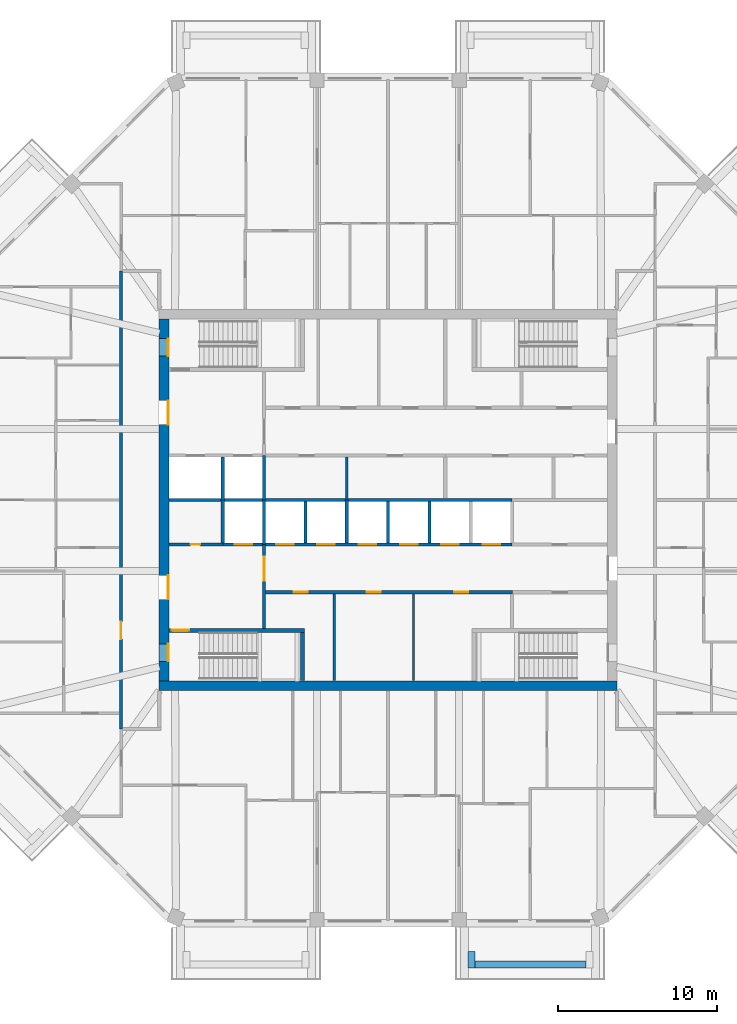
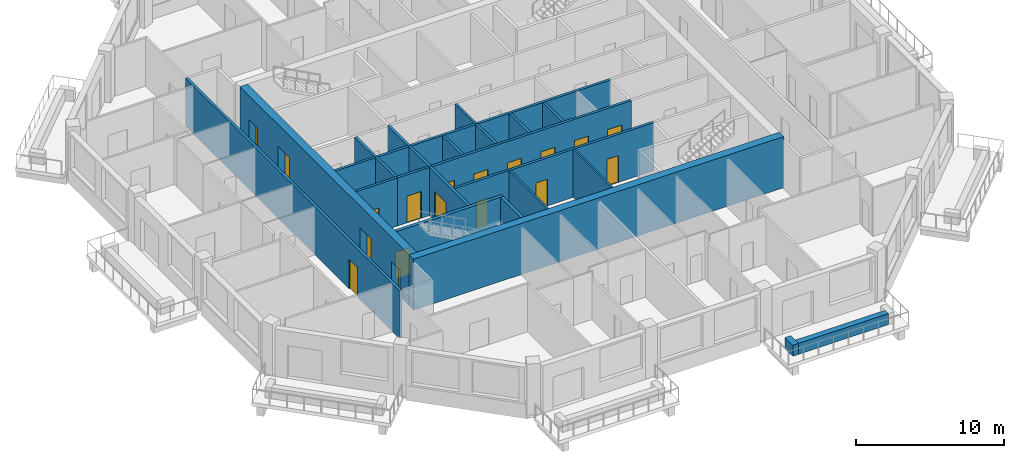
# One storey, part 4 of 12: 23 walls, 18 doors, 18 openings.
"""IFC4 building model written with IfcOpenShell, lengths in metres."""

from ifc_helpers import new_model, si_unit, direction, frame, frame_2d, origin, place, context, subcontext, project, spatial, rectangle, extrude, material, layer, layer_set, type_object, element, fill, save


model = new_model("IFC4")

# Units and contexts
model_context = context("Model", 3, precision=1e-05, world=origin(), true_north=direction((0.0, 1.0)))
body_context = subcontext(model_context, "Body", "Model", "MODEL_VIEW")
ifc_project = project(units=[si_unit("LENGTHUNIT", "METRE"), si_unit("AREAUNIT", "SQUARE_METRE"), si_unit("VOLUMEUNIT", "CUBIC_METRE"), si_unit("PLANEANGLEUNIT", "RADIAN"), si_unit("MASSUNIT", "GRAM", prefix="KILO")], contexts=[model_context])

# Site, building, storey
site_placement = place(None, origin())
site = spatial("IfcSite", under=ifc_project, at=site_placement, CompositionType="ELEMENT")
building_placement = place(site_placement, origin())
building = spatial("IfcBuilding", under=site, at=building_placement, Name="Msitu Wima Residences", CompositionType="ELEMENT")
storey_placement = place(building_placement, frame((0.0, 0.0, 247.5)))
storey = spatial("IfcBuildingStorey", under=building, at=storey_placement, Name="L57", CompositionType="ELEMENT", Elevation=247.5)

# Walls
ifc_material_1 = material(Name="Facing brick")
ifc_layer_1 = layer(ifc_material_1, 0.06494140625, Name="Facing brick")
ifc_material_2 = material(Name="Concrete C40/50", Category="concrete")
ifc_layer_2 = layer(ifc_material_2, 0.156005859375, Name="Concrete C40/50")
ifc_material_3 = material(Name="Waterproofing membrane")
ifc_layer_3 = layer(ifc_material_3, 0.00390625, Name="Waterproofing membrane")
ifc_material_4 = material(Name="Planting soil and planting")
ifc_layer_4 = layer(ifc_material_4, 0.22509765625, Name="Planting soil and planting")
ifc_layer_set_1 = layer_set([ifc_layer_1, ifc_layer_2, ifc_layer_3, ifc_layer_4], Name="Concrete C40/50")
wall_type_1 = type_object("IfcWallType", Name="Balcony planter PLANTER PL450", PredefinedType="USERDEFINED", material=ifc_layer_set_1)
wall_1_placement = place(storey_placement, frame((5.468505859375, -29.22509765625, 0.0), z_axis=(0.0, 0.0, 1.0), x_axis=(1.0, 0.0, 0.0)))
element("IfcWall", 1, at=wall_1_placement, inside=storey, type_object=wall_type_1, Name="Balcony planter S2 L57", ObjectType="PLANTER", PredefinedType="USERDEFINED", context=body_context, shape_type="SweptSolid", body=[
    extrude(rectangle(XDim=6.9873046875, YDim=0.449951171875, at=frame_2d((3.49365234375, 0.0))), origin(), (0.0, 0.0, 1.0), 0.89990234375),
])
wall_2_placement = place(storey_placement, frame((5.24365234375, -28.39990234375, 0.0), z_axis=(0.0, 0.0, 1.0), x_axis=(0.0, -1.0, 0.0)))
element("IfcWall", 2, at=wall_2_placement, inside=storey, type_object=wall_type_1, Name="Balcony planter S2 L57", ObjectType="PLANTER", PredefinedType="USERDEFINED", context=body_context, shape_type="SweptSolid", body=[
    extrude(rectangle(XDim=1.050048828125, YDim=0.449951171875, at=frame_2d((0.52490234375, 0.0))), origin(), (0.0, 0.0, 1.0), 0.89990234375),
])
ifc_material_5 = material(Name="Concrete C50/60", Category="concrete")
ifc_layer_5 = layer(ifc_material_5, 0.60009765625)
ifc_layer_set_2 = layer_set([ifc_layer_5], Name="Concrete C50/60")
wall_type_2 = type_object("IfcWallType", Name="Core wall CW600 C50/60", PredefinedType="SHEAR", material=ifc_layer_set_2)
wall_3_placement = place(storey_placement, frame((-14.39990234375, -11.699951171875, 0.0), z_axis=(0.0, 0.0, 1.0), x_axis=(1.0, 0.0, 0.0)))
element("IfcWall", 3, at=wall_3_placement, inside=storey, type_object=wall_type_2, Name="Core wall", PredefinedType="SHEAR", context=body_context, shape_type="SweptSolid", body=[
    extrude(rectangle(XDim=28.7998046875, YDim=0.60009765625, at=frame_2d((14.39990234375, 0.0))), origin(), (0.0, 0.0, 1.0), 4.199951171875),
])

# Wall, openings, doors
wall_4_placement = place(storey_placement, frame((-14.10009765625, -11.39990234375, 0.0), z_axis=(0.0, 0.0, 1.0), x_axis=(0.0, 1.0, 0.0)))
wall_4 = element("IfcWall", 4, at=wall_4_placement, inside=storey, type_object=wall_type_2, Name="Core wall", PredefinedType="SHEAR", context=body_context, shape_type="SweptSolid", body=[
    extrude(rectangle(XDim=22.7998046875, YDim=0.60009765625, at=frame_2d((11.39990234375, 0.0))), origin(), (0.0, 0.0, 1.0), 4.199951171875),
])
opening_1_placement = place(wall_4_placement, frame((20.449951171875, 0.0, 0.0)))
opening_1 = element("IfcOpeningElement", 5, at=opening_1_placement, cuts=wall_4, Name="Opening D57-59.084", PredefinedType="OPENING", context=body_context, shape_type="SweptSolid", body=[
    extrude(rectangle(XDim=1.10009765625, YDim=2.199951171875, at=frame_2d((0.550048828125, 1.10009765625))), frame((0.0, 0.31005859375, 0.0), z_axis=(0.0, -1.0, 0.0), x_axis=(1.0, 0.0, 0.0)), (0.0, 0.0, 1.0), 0.6201171875),
])
opening_2_placement = place(wall_4_placement, frame((1.25, 0.0, 0.0)))
opening_2 = element("IfcOpeningElement", 6, at=opening_2_placement, cuts=wall_4, Name="Opening D57-59.086", PredefinedType="OPENING", context=body_context, shape_type="SweptSolid", body=[
    extrude(rectangle(XDim=1.10009765625, YDim=2.199951171875, at=frame_2d((0.550048828125, 1.10009765625))), frame((0.0, 0.31005859375, 0.0), z_axis=(0.0, -1.0, 0.0), x_axis=(1.0, 0.0, 0.0)), (0.0, 0.0, 1.0), 0.6201171875),
])
opening_3_placement = place(wall_4_placement, frame((16.14990234375, 0.0, 0.0)))
opening_3 = element("IfcOpeningElement", 7, at=opening_3_placement, cuts=wall_4, Name="Opening D57-59.064", PredefinedType="OPENING", context=body_context, shape_type="SweptSolid", body=[
    extrude(rectangle(XDim=1.5, YDim=2.39990234375, at=frame_2d((0.75, 1.199951171875))), frame((0.0, 0.31005859375, 0.0), z_axis=(0.0, -1.0, 0.0), x_axis=(1.0, 0.0, 0.0)), (0.0, 0.0, 1.0), 0.6201171875),
])
opening_4_placement = place(wall_4_placement, frame((5.14990234375, 0.0, 0.0)))
opening_4 = element("IfcOpeningElement", 8, at=opening_4_placement, cuts=wall_4, Name="Opening D57-59.066", PredefinedType="OPENING", context=body_context, shape_type="SweptSolid", body=[
    extrude(rectangle(XDim=1.5, YDim=2.39990234375, at=frame_2d((0.75, 1.199951171875))), frame((0.0, 0.31005859375, 0.0), z_axis=(0.0, -1.0, 0.0), x_axis=(1.0, 0.0, 0.0)), (0.0, 0.0, 1.0), 0.6201171875),
])
ifc_material_6 = material(Name="Steel framed glazed door, fire resisting", Category="steel")
door_type_1 = type_object("IfcDoorType", Name="Lobby door D07 1500x2400", OperationType="DOUBLE_DOOR_SINGLE_SWING", PredefinedType="DOOR", material=ifc_material_6)
door_1_placement = place(opening_3_placement, origin())
door_1 = element("IfcDoor", 9, at=door_1_placement, inside=storey, type_object=door_type_1, Name="Lobby door", OperationType="DOUBLE_DOOR_SINGLE_SWING", OverallHeight=2.39990234375, OverallWidth=1.5, PredefinedType="DOOR", context=body_context, shape_type="SweptSolid", body=[
    extrude(rectangle(XDim=1.5, YDim=2.39990234375, at=frame_2d((0.75, 1.199951171875))), frame((0.0, -0.2451171875, 0.0), z_axis=(0.0, -1.0, 0.0), x_axis=(1.0, 0.0, 0.0)), (0.0, 0.0, 1.0), 0.050048828125),
])
fill(opening_3, door_1)
door_2_placement = place(opening_4_placement, origin())
door_2 = element("IfcDoor", 10, at=door_2_placement, inside=storey, type_object=door_type_1, Name="Lobby door", OperationType="DOUBLE_DOOR_SINGLE_SWING", OverallHeight=2.39990234375, OverallWidth=1.5, PredefinedType="DOOR", context=body_context, shape_type="SweptSolid", body=[
    extrude(rectangle(XDim=1.5, YDim=2.39990234375, at=frame_2d((0.75, 1.199951171875))), frame((0.0, -0.2451171875, 0.0), z_axis=(0.0, -1.0, 0.0), x_axis=(1.0, 0.0, 0.0)), (0.0, 0.0, 1.0), 0.050048828125),
])
fill(opening_4, door_2)
ifc_material_7 = material(Name="Steel door, fire resisting, panic bar", Category="steel")
door_type_2 = type_object("IfcDoorType", Name="Stair door D06 1100x2200", OperationType="SINGLE_SWING_LEFT", PredefinedType="DOOR", material=ifc_material_7)
door_3_placement = place(opening_1_placement, origin())
door_3 = element("IfcDoor", 11, at=door_3_placement, inside=storey, type_object=door_type_2, Name="Stair door", OperationType="SINGLE_SWING_RIGHT", OverallHeight=2.199951171875, OverallWidth=1.10009765625, PredefinedType="DOOR", context=body_context, shape_type="SweptSolid", body=[
    extrude(rectangle(XDim=1.10009765625, YDim=2.199951171875, at=frame_2d((0.550048828125, 1.10009765625))), frame((0.0, -0.2451171875, 0.0), z_axis=(0.0, -1.0, 0.0), x_axis=(1.0, 0.0, 0.0)), (0.0, 0.0, 1.0), 0.050048828125),
])
fill(opening_1, door_3)
door_4_placement = place(opening_2_placement, origin())
door_4 = element("IfcDoor", 12, at=door_4_placement, inside=storey, type_object=door_type_2, Name="Stair door", OperationType="SINGLE_SWING_LEFT", OverallHeight=2.199951171875, OverallWidth=1.10009765625, PredefinedType="DOOR", context=body_context, shape_type="SweptSolid", body=[
    extrude(rectangle(XDim=1.10009765625, YDim=2.199951171875, at=frame_2d((0.550048828125, 1.10009765625))), frame((0.0, -0.2451171875, 0.0), z_axis=(0.0, -1.0, 0.0), x_axis=(1.0, 0.0, 0.0)), (0.0, 0.0, 1.0), 0.050048828125),
])
fill(opening_2, door_4)

# Wall, opening, door
ifc_material_8 = material(Name="Plaster")
ifc_layer_6 = layer(ifc_material_8, 0.011962890625, Name="Plaster")
ifc_material_9 = material(Name="Concrete blockwork", Category="masonry")
ifc_layer_7 = layer(ifc_material_9, 0.176025390625, Name="Concrete blockwork")
ifc_layer_8 = layer(ifc_material_8, 0.011962890625, Name="Plaster")
ifc_layer_set_3 = layer_set([ifc_layer_6, ifc_layer_7, ifc_layer_8], Name="Concrete blockwork")
wall_type_3 = type_object("IfcWallType", Name="Corridor wall FW200", PredefinedType="PARTITIONING", material=ifc_layer_set_3)
wall_5_placement = place(storey_placement, frame((-16.800048828125, -14.39990234375, 0.0), z_axis=(0.0, 0.0, 1.0), x_axis=(0.0, 1.0, 0.0)))
wall_5 = element("IfcWall", 13, at=wall_5_placement, inside=storey, type_object=wall_type_3, Name="Corridor wall", PredefinedType="PARTITIONING", context=body_context, shape_type="SweptSolid", body=[
    extrude(rectangle(XDim=28.7998046875, YDim=0.199951171875, at=frame_2d((14.39990234375, 0.0))), origin(), (0.0, 0.0, 1.0), 3.949951171875),
])
opening_5_placement = place(wall_5_placement, frame((5.64990234375, 0.0, 0.0)))
opening_5 = element("IfcOpeningElement", 14, at=opening_5_placement, cuts=wall_5, Name="Opening D57-59.024", PredefinedType="OPENING", context=body_context, shape_type="SweptSolid", body=[
    extrude(rectangle(XDim=1.10009765625, YDim=2.39990234375, at=frame_2d((0.550048828125, 1.199951171875))), frame((0.0, 0.10986328125, 0.0), z_axis=(0.0, -1.0, 0.0), x_axis=(1.0, 0.0, 0.0)), (0.0, 0.0, 1.0), 0.219970703125),
])
ifc_material_10 = material(Name="Timber flush door, fire resisting, self-closing", Category="wood")
door_type_3 = type_object("IfcDoorType", Name="Flat entrance door D01 1100x2400", OperationType="SINGLE_SWING_LEFT", PredefinedType="DOOR", material=ifc_material_10)
door_5_placement = place(opening_5_placement, origin())
door_5 = element("IfcDoor", 15, at=door_5_placement, inside=storey, type_object=door_type_3, Name="Flat entrance door", OperationType="SINGLE_SWING_LEFT", OverallHeight=2.39990234375, OverallWidth=1.10009765625, PredefinedType="DOOR", context=body_context, shape_type="SweptSolid", body=[
    extrude(rectangle(XDim=1.10009765625, YDim=2.39990234375, at=frame_2d((0.550048828125, 1.199951171875))), frame((0.0, 0.02490234375, 0.0), z_axis=(0.0, -1.0, 0.0), x_axis=(1.0, 0.0, 0.0)), (0.0, 0.0, 1.0), 0.050048828125),
])
fill(opening_5, door_5)

wall_6_placement = place(storey_placement, frame((-7.800048828125, -8.074951171875, 0.0), z_axis=(0.0, 0.0, 1.0), x_axis=(0.0, 1.0, 0.0)))
wall_6 = element("IfcWall", 16, at=wall_6_placement, inside=storey, type_object=wall_type_3, Name="Corridor wall", PredefinedType="PARTITIONING", context=body_context, shape_type="SweptSolid", body=[
    extrude(rectangle(XDim=5.27490234375, YDim=0.199951171875, at=frame_2d((2.637451171875, 0.0))), origin(), (0.0, 0.0, 1.0), 3.949951171875),
])
opening_6_placement = place(wall_6_placement, frame((3.0, 0.0, 0.0)))
opening_6 = element("IfcOpeningElement", 17, at=opening_6_placement, cuts=wall_6, Name="Opening D57-59.067", PredefinedType="OPENING", context=body_context, shape_type="SweptSolid", body=[
    extrude(rectangle(XDim=1.5, YDim=2.39990234375, at=frame_2d((0.75, 1.199951171875))), frame((0.0, 0.10986328125, 0.0), z_axis=(0.0, -1.0, 0.0), x_axis=(1.0, 0.0, 0.0)), (0.0, 0.0, 1.0), 0.219970703125),
])
door_6_placement = place(opening_6_placement, origin())
door_6 = element("IfcDoor", 18, at=door_6_placement, inside=storey, type_object=door_type_1, Name="Lobby door", OperationType="DOUBLE_DOOR_SINGLE_SWING", OverallHeight=2.39990234375, OverallWidth=1.5, PredefinedType="DOOR", context=body_context, shape_type="SweptSolid", body=[
    extrude(rectangle(XDim=1.5, YDim=2.39990234375, at=frame_2d((0.75, 1.199951171875))), frame((0.0, 0.02490234375, 0.0), z_axis=(0.0, -1.0, 0.0), x_axis=(1.0, 0.0, 0.0)), (0.0, 0.0, 1.0), 0.050048828125),
])
fill(opening_6, door_6)

# Wall, openings, doors
wall_7_placement = place(storey_placement, frame((-7.699951171875, -5.800048828125, 0.0), z_axis=(0.0, 0.0, 1.0), x_axis=(1.0, 0.0, 0.0)))
wall_7 = element("IfcWall", 19, at=wall_7_placement, inside=storey, type_object=wall_type_3, Name="Corridor wall", PredefinedType="PARTITIONING", context=body_context, shape_type="SweptSolid", body=[
    extrude(rectangle(XDim=15.52001953125, YDim=0.199951171875, at=frame_2d((7.760009765625, 0.0))), origin(), (0.0, 0.0, 1.0), 3.949951171875),
])
opening_7_placement = place(wall_7_placement, frame((1.75, 0.0, 0.0)))
opening_7 = element("IfcOpeningElement", 20, at=opening_7_placement, cuts=wall_7, Name="Opening D57-59.073", PredefinedType="OPENING", context=body_context, shape_type="SweptSolid", body=[
    extrude(rectangle(XDim=0.89990234375, YDim=2.199951171875, at=frame_2d((0.449951171875, 1.10009765625))), frame((0.0, 0.10986328125, 0.0), z_axis=(0.0, -1.0, 0.0), x_axis=(1.0, 0.0, 0.0)), (0.0, 0.0, 1.0), 0.219970703125),
])
opening_8_placement = place(wall_7_placement, frame((6.35009765625, 0.0, 0.0)))
opening_8 = element("IfcOpeningElement", 21, at=opening_8_placement, cuts=wall_7, Name="Opening D57-59.074", PredefinedType="OPENING", context=body_context, shape_type="SweptSolid", body=[
    extrude(rectangle(XDim=0.89990234375, YDim=2.199951171875, at=frame_2d((0.449951171875, 1.10009765625))), frame((0.0, 0.10986328125, 0.0), z_axis=(0.0, -1.0, 0.0), x_axis=(1.0, 0.0, 0.0)), (0.0, 0.0, 1.0), 0.219970703125),
])
opening_9_placement = place(wall_7_placement, frame((11.85009765625, 0.0, 0.0)))
opening_9 = element("IfcOpeningElement", 22, at=opening_9_placement, cuts=wall_7, Name="Opening D57-59.075", PredefinedType="OPENING", context=body_context, shape_type="SweptSolid", body=[
    extrude(rectangle(XDim=0.89990234375, YDim=2.199951171875, at=frame_2d((0.449951171875, 1.10009765625))), frame((0.0, 0.10986328125, 0.0), z_axis=(0.0, -1.0, 0.0), x_axis=(1.0, 0.0, 0.0)), (0.0, 0.0, 1.0), 0.219970703125),
])
ifc_material_11 = material(Name="Timber flush door", Category="wood")
door_type_4 = type_object("IfcDoorType", Name="Service door D05 900x2200", OperationType="SINGLE_SWING_LEFT", PredefinedType="DOOR", material=ifc_material_11)
door_7_placement = place(opening_7_placement, origin())
door_7 = element("IfcDoor", 23, at=door_7_placement, inside=storey, type_object=door_type_4, Name="Service door", OperationType="SINGLE_SWING_LEFT", OverallHeight=2.199951171875, OverallWidth=0.89990234375, PredefinedType="DOOR", context=body_context, shape_type="SweptSolid", body=[
    extrude(rectangle(XDim=0.89990234375, YDim=2.199951171875, at=frame_2d((0.449951171875, 1.10009765625))), frame((0.0, 0.02490234375, 0.0), z_axis=(0.0, -1.0, 0.0), x_axis=(1.0, 0.0, 0.0)), (0.0, 0.0, 1.0), 0.050048828125),
])
fill(opening_7, door_7)
door_8_placement = place(opening_8_placement, origin())
door_8 = element("IfcDoor", 24, at=door_8_placement, inside=storey, type_object=door_type_4, Name="Service door", OperationType="SINGLE_SWING_RIGHT", OverallHeight=2.199951171875, OverallWidth=0.89990234375, PredefinedType="DOOR", context=body_context, shape_type="SweptSolid", body=[
    extrude(rectangle(XDim=0.89990234375, YDim=2.199951171875, at=frame_2d((0.449951171875, 1.10009765625))), frame((0.0, 0.02490234375, 0.0), z_axis=(0.0, -1.0, 0.0), x_axis=(1.0, 0.0, 0.0)), (0.0, 0.0, 1.0), 0.050048828125),
])
fill(opening_8, door_8)
door_9_placement = place(opening_9_placement, origin())
door_9 = element("IfcDoor", 25, at=door_9_placement, inside=storey, type_object=door_type_4, Name="Service door", OperationType="SINGLE_SWING_RIGHT", OverallHeight=2.199951171875, OverallWidth=0.89990234375, PredefinedType="DOOR", context=body_context, shape_type="SweptSolid", body=[
    extrude(rectangle(XDim=0.89990234375, YDim=2.199951171875, at=frame_2d((0.449951171875, 1.10009765625))), frame((0.0, 0.02490234375, 0.0), z_axis=(0.0, -1.0, 0.0), x_axis=(1.0, 0.0, 0.0)), (0.0, 0.0, 1.0), 0.050048828125),
])
fill(opening_9, door_9)

# Walls
ifc_layer_9 = layer(ifc_material_8, 0.011962890625, Name="Plaster")
ifc_layer_10 = layer(ifc_material_9, 0.1259765625, Name="Concrete blockwork")
ifc_layer_11 = layer(ifc_material_8, 0.011962890625, Name="Plaster")
ifc_layer_set_4 = layer_set([ifc_layer_9, ifc_layer_10, ifc_layer_11], Name="Concrete blockwork")
wall_type_4 = type_object("IfcWallType", Name="Partition PW150", PredefinedType="PARTITIONING", material=ifc_layer_set_4)
wall_8_placement = place(storey_placement, frame((-3.39990234375, -11.3701171875, 0.0), z_axis=(0.0, 0.0, 1.0), x_axis=(0.0, 1.0, 0.0)))
element("IfcWall", 26, at=wall_8_placement, inside=storey, type_object=wall_type_4, Name="Partition", PredefinedType="PARTITIONING", context=body_context, shape_type="SweptSolid", body=[
    extrude(rectangle(XDim=5.47021484375, YDim=0.14990234375, at=frame_2d((2.735107421875, 0.0))), origin(), (0.0, 0.0, 1.0), 3.949951171875),
])
wall_9_placement = place(storey_placement, frame((-2.60009765625, 0.0, 0.0), z_axis=(0.0, 0.0, 1.0), x_axis=(0.0, 1.0, 0.0)))
element("IfcWall", 27, at=wall_9_placement, inside=storey, type_object=wall_type_4, Name="Partition", PredefinedType="PARTITIONING", context=body_context, shape_type="SweptSolid", body=[
    extrude(rectangle(XDim=2.699951171875, YDim=0.14990234375, at=frame_2d((1.35009765625, 0.0))), origin(), (0.0, 0.0, 1.0), 3.949951171875),
])
wall_10_placement = place(storey_placement, frame((1.60009765625, -11.3701171875, 0.0), z_axis=(0.0, 0.0, 1.0), x_axis=(0.0, 1.0, 0.0)))
element("IfcWall", 28, at=wall_10_placement, inside=storey, type_object=wall_type_4, Name="Partition", PredefinedType="PARTITIONING", context=body_context, shape_type="SweptSolid", body=[
    extrude(rectangle(XDim=5.47021484375, YDim=0.14990234375, at=frame_2d((2.735107421875, 0.0))), origin(), (0.0, 0.0, 1.0), 3.949951171875),
])

# Wall, opening, door
ifc_layer_12 = layer(ifc_material_8, 0.011962890625, Name="Plaster")
ifc_material_12 = material(Name="Reinforced concrete blockwork", Category="masonry")
ifc_layer_13 = layer(ifc_material_12, 0.176025390625, Name="Reinforced concrete blockwork")
ifc_layer_14 = layer(ifc_material_8, 0.011962890625, Name="Plaster")
ifc_layer_set_5 = layer_set([ifc_layer_12, ifc_layer_13, ifc_layer_14], Name="Reinforced concrete blockwork")
wall_type_5 = type_object("IfcWallType", Name="Plant and riser wall PL200", PredefinedType="PARTITIONING", material=ifc_layer_set_5)
wall_11_placement = place(storey_placement, frame((-13.77001953125, -2.800048828125, 0.0), z_axis=(0.0, 0.0, 1.0), x_axis=(1.0, 0.0, 0.0)))
wall_11 = element("IfcWall", 29, at=wall_11_placement, inside=storey, type_object=wall_type_5, Name="Plant and riser wall", PredefinedType="PARTITIONING", context=body_context, shape_type="SweptSolid", body=[
    extrude(rectangle(XDim=3.3701171875, YDim=0.199951171875, at=frame_2d((1.68505859375, 0.0))), origin(), (0.0, 0.0, 1.0), 3.949951171875),
])
opening_10_placement = place(wall_11_placement, frame((1.35009765625, 0.0, 0.0)))
opening_10 = element("IfcOpeningElement", 30, at=opening_10_placement, cuts=wall_11, Name="Opening D57-59.083", PredefinedType="OPENING", context=body_context, shape_type="SweptSolid", body=[
    extrude(rectangle(XDim=0.60009765625, YDim=2.0, at=frame_2d((0.300048828125, 1.0))), frame((0.0, 0.10986328125, 0.0), z_axis=(0.0, -1.0, 0.0), x_axis=(1.0, 0.0, 0.0)), (0.0, 0.0, 1.0), 0.219970703125),
])
ifc_material_13 = material(Name="Steel access door, fire resisting", Category="steel")
door_type_5 = type_object("IfcDoorType", Name="Riser access door D08 600x2000", OperationType="SINGLE_SWING_LEFT", PredefinedType="DOOR", material=ifc_material_13)
door_10_placement = place(opening_10_placement, origin())
door_10 = element("IfcDoor", 31, at=door_10_placement, inside=storey, type_object=door_type_5, Name="Riser access door", OperationType="SINGLE_SWING_RIGHT", OverallHeight=2.0, OverallWidth=0.60009765625, PredefinedType="DOOR", context=body_context, shape_type="SweptSolid", body=[
    extrude(rectangle(XDim=0.60009765625, YDim=2.0, at=frame_2d((0.300048828125, 1.0))), frame((0.0, 0.02490234375, 0.0), z_axis=(0.0, -1.0, 0.0), x_axis=(1.0, 0.0, 0.0)), (0.0, 0.0, 1.0), 0.050048828125),
])
fill(opening_10, door_10)

# Walls
ifc_material_14 = material(Name="Fire-rated board")
ifc_layer_15 = layer(ifc_material_14, 0.02490234375, Name="Fire-rated board")
ifc_material_15 = material(Name="Light-gauge stud framing with mineral wool")
ifc_layer_16 = layer(ifc_material_15, 0.14990234375, Name="Light-gauge stud framing with mineral wool")
ifc_layer_17 = layer(ifc_material_14, 0.02490234375, Name="Fire-rated board")
ifc_layer_set_6 = layer_set([ifc_layer_15, ifc_layer_16, ifc_layer_17], Name="Light-gauge stud framing with mineral wool")
wall_type_6 = type_object("IfcWallType", Name="Shaft wall SH200", PredefinedType="PARTITIONING", material=ifc_layer_set_6)
wall_12_placement = place(storey_placement, frame((-13.77001953125, 0.0, 0.0), z_axis=(0.0, 0.0, 1.0), x_axis=(1.0, 0.0, 0.0)))
element("IfcWall", 32, at=wall_12_placement, inside=storey, type_object=wall_type_6, Name="Shaft wall", PredefinedType="PARTITIONING", context=body_context, shape_type="SweptSolid", body=[
    extrude(rectangle(XDim=21.570068359375, YDim=0.199951171875, at=frame_2d((10.78515625, 0.0))), origin(), (0.0, 0.0, 1.0), 3.949951171875),
])
wall_13_placement = place(storey_placement, frame((-10.39990234375, -2.699951171875, 0.0), z_axis=(0.0, 0.0, 1.0), x_axis=(0.0, 1.0, 0.0)))
element("IfcWall", 33, at=wall_13_placement, inside=storey, type_object=wall_type_6, Name="Shaft wall", PredefinedType="PARTITIONING", context=body_context, shape_type="SweptSolid", body=[
    extrude(rectangle(XDim=2.699951171875, YDim=0.199951171875, at=frame_2d((1.35009765625, 0.0))), origin(), (0.0, 0.0, 1.0), 3.949951171875),
])

# Wall, openings, doors
wall_14_placement = place(storey_placement, frame((-10.39990234375, -2.800048828125, 0.0), z_axis=(0.0, 0.0, 1.0), x_axis=(1.0, 0.0, 0.0)))
wall_14 = element("IfcWall", 34, at=wall_14_placement, inside=storey, type_object=wall_type_6, Name="Shaft wall", PredefinedType="PARTITIONING", context=body_context, shape_type="SweptSolid", body=[
    extrude(rectangle(XDim=18.199951171875, YDim=0.199951171875, at=frame_2d((9.10009765625, 0.0))), origin(), (0.0, 0.0, 1.0), 3.949951171875),
])
opening_11_placement = place(wall_14_placement, frame((0.75, 0.0, 0.0)))
opening_11 = element("IfcOpeningElement", 35, at=opening_11_placement, cuts=wall_14, Name="Opening LD", PredefinedType="OPENING", context=body_context, shape_type="SweptSolid", body=[
    extrude(rectangle(XDim=1.10009765625, YDim=2.199951171875, at=frame_2d((0.550048828125, 1.10009765625))), frame((0.0, 0.10986328125, 0.0), z_axis=(0.0, -1.0, 0.0), x_axis=(1.0, 0.0, 0.0)), (0.0, 0.0, 1.0), 0.219970703125),
])
opening_12_placement = place(wall_14_placement, frame((3.35009765625, 0.0, 0.0)))
opening_12 = element("IfcOpeningElement", 36, at=opening_12_placement, cuts=wall_14, Name="Opening LD", PredefinedType="OPENING", context=body_context, shape_type="SweptSolid", body=[
    extrude(rectangle(XDim=1.10009765625, YDim=2.199951171875, at=frame_2d((0.550048828125, 1.10009765625))), frame((0.0, 0.10986328125, 0.0), z_axis=(0.0, -1.0, 0.0), x_axis=(1.0, 0.0, 0.0)), (0.0, 0.0, 1.0), 0.219970703125),
])
opening_13_placement = place(wall_14_placement, frame((5.949951171875, 0.0, 0.0)))
opening_13 = element("IfcOpeningElement", 37, at=opening_13_placement, cuts=wall_14, Name="Opening LD", PredefinedType="OPENING", context=body_context, shape_type="SweptSolid", body=[
    extrude(rectangle(XDim=1.10009765625, YDim=2.199951171875, at=frame_2d((0.550048828125, 1.10009765625))), frame((0.0, 0.10986328125, 0.0), z_axis=(0.0, -1.0, 0.0), x_axis=(1.0, 0.0, 0.0)), (0.0, 0.0, 1.0), 0.219970703125),
])
opening_14_placement = place(wall_14_placement, frame((8.550048828125, 0.0, 0.0)))
opening_14 = element("IfcOpeningElement", 38, at=opening_14_placement, cuts=wall_14, Name="Opening LD", PredefinedType="OPENING", context=body_context, shape_type="SweptSolid", body=[
    extrude(rectangle(XDim=1.10009765625, YDim=2.199951171875, at=frame_2d((0.550048828125, 1.10009765625))), frame((0.0, 0.10986328125, 0.0), z_axis=(0.0, -1.0, 0.0), x_axis=(1.0, 0.0, 0.0)), (0.0, 0.0, 1.0), 0.219970703125),
])
opening_15_placement = place(wall_14_placement, frame((11.14990234375, 0.0, 0.0)))
opening_15 = element("IfcOpeningElement", 39, at=opening_15_placement, cuts=wall_14, Name="Opening LD", PredefinedType="OPENING", context=body_context, shape_type="SweptSolid", body=[
    extrude(rectangle(XDim=1.10009765625, YDim=2.199951171875, at=frame_2d((0.550048828125, 1.10009765625))), frame((0.0, 0.10986328125, 0.0), z_axis=(0.0, -1.0, 0.0), x_axis=(1.0, 0.0, 0.0)), (0.0, 0.0, 1.0), 0.219970703125),
])
opening_16_placement = place(wall_14_placement, frame((13.75, 0.0, 0.0)))
opening_16 = element("IfcOpeningElement", 40, at=opening_16_placement, cuts=wall_14, Name="Opening LD", PredefinedType="OPENING", context=body_context, shape_type="SweptSolid", body=[
    extrude(rectangle(XDim=1.10009765625, YDim=2.199951171875, at=frame_2d((0.550048828125, 1.10009765625))), frame((0.0, 0.10986328125, 0.0), z_axis=(0.0, -1.0, 0.0), x_axis=(1.0, 0.0, 0.0)), (0.0, 0.0, 1.0), 0.219970703125),
])
opening_17_placement = place(wall_14_placement, frame((16.35009765625, 0.0, 0.0)))
opening_17 = element("IfcOpeningElement", 41, at=opening_17_placement, cuts=wall_14, Name="Opening LD", PredefinedType="OPENING", context=body_context, shape_type="SweptSolid", body=[
    extrude(rectangle(XDim=1.10009765625, YDim=2.199951171875, at=frame_2d((0.550048828125, 1.10009765625))), frame((0.0, 0.10986328125, 0.0), z_axis=(0.0, -1.0, 0.0), x_axis=(1.0, 0.0, 0.0)), (0.0, 0.0, 1.0), 0.219970703125),
])
ifc_material_16 = material(Name="Stainless steel centre-opening landing door, rated", Category="steel")
door_type_6 = type_object("IfcDoorType", Name="Lift landing door LD 1100x2200", OperationType="DOUBLE_DOOR_SLIDING", PredefinedType="DOOR", material=ifc_material_16)
door_11_placement = place(opening_11_placement, origin())
door_11 = element("IfcDoor", 42, at=door_11_placement, inside=storey, type_object=door_type_6, Name="Lift landing door LD3", OperationType="DOUBLE_DOOR_SLIDING", OverallHeight=2.199951171875, OverallWidth=1.10009765625, PredefinedType="DOOR", context=body_context, shape_type="SweptSolid", body=[
    extrude(rectangle(XDim=1.10009765625, YDim=2.199951171875, at=frame_2d((0.550048828125, 1.10009765625))), frame((0.0, 0.02490234375, 0.0), z_axis=(0.0, -1.0, 0.0), x_axis=(1.0, 0.0, 0.0)), (0.0, 0.0, 1.0), 0.050048828125),
])
fill(opening_11, door_11)
door_12_placement = place(opening_12_placement, origin())
door_12 = element("IfcDoor", 43, at=door_12_placement, inside=storey, type_object=door_type_6, Name="Lift landing door LD5", OperationType="DOUBLE_DOOR_SLIDING", OverallHeight=2.199951171875, OverallWidth=1.10009765625, PredefinedType="DOOR", context=body_context, shape_type="SweptSolid", body=[
    extrude(rectangle(XDim=1.10009765625, YDim=2.199951171875, at=frame_2d((0.550048828125, 1.10009765625))), frame((0.0, 0.02490234375, 0.0), z_axis=(0.0, -1.0, 0.0), x_axis=(1.0, 0.0, 0.0)), (0.0, 0.0, 1.0), 0.050048828125),
])
fill(opening_12, door_12)
door_13_placement = place(opening_13_placement, origin())
door_13 = element("IfcDoor", 44, at=door_13_placement, inside=storey, type_object=door_type_6, Name="Lift landing door LD7", OperationType="DOUBLE_DOOR_SLIDING", OverallHeight=2.199951171875, OverallWidth=1.10009765625, PredefinedType="DOOR", context=body_context, shape_type="SweptSolid", body=[
    extrude(rectangle(XDim=1.10009765625, YDim=2.199951171875, at=frame_2d((0.550048828125, 1.10009765625))), frame((0.0, 0.02490234375, 0.0), z_axis=(0.0, -1.0, 0.0), x_axis=(1.0, 0.0, 0.0)), (0.0, 0.0, 1.0), 0.050048828125),
])
fill(opening_13, door_13)
door_14_placement = place(opening_14_placement, origin())
door_14 = element("IfcDoor", 45, at=door_14_placement, inside=storey, type_object=door_type_6, Name="Lift landing door LD9", OperationType="DOUBLE_DOOR_SLIDING", OverallHeight=2.199951171875, OverallWidth=1.10009765625, PredefinedType="DOOR", context=body_context, shape_type="SweptSolid", body=[
    extrude(rectangle(XDim=1.10009765625, YDim=2.199951171875, at=frame_2d((0.550048828125, 1.10009765625))), frame((0.0, 0.02490234375, 0.0), z_axis=(0.0, -1.0, 0.0), x_axis=(1.0, 0.0, 0.0)), (0.0, 0.0, 1.0), 0.050048828125),
])
fill(opening_14, door_14)
door_15_placement = place(opening_15_placement, origin())
door_15 = element("IfcDoor", 46, at=door_15_placement, inside=storey, type_object=door_type_6, Name="Lift landing door LD11", OperationType="DOUBLE_DOOR_SLIDING", OverallHeight=2.199951171875, OverallWidth=1.10009765625, PredefinedType="DOOR", context=body_context, shape_type="SweptSolid", body=[
    extrude(rectangle(XDim=1.10009765625, YDim=2.199951171875, at=frame_2d((0.550048828125, 1.10009765625))), frame((0.0, 0.02490234375, 0.0), z_axis=(0.0, -1.0, 0.0), x_axis=(1.0, 0.0, 0.0)), (0.0, 0.0, 1.0), 0.050048828125),
])
fill(opening_15, door_15)
door_16_placement = place(opening_16_placement, origin())
door_16 = element("IfcDoor", 47, at=door_16_placement, inside=storey, type_object=door_type_6, Name="Lift landing door LD13", OperationType="DOUBLE_DOOR_SLIDING", OverallHeight=2.199951171875, OverallWidth=1.10009765625, PredefinedType="DOOR", context=body_context, shape_type="SweptSolid", body=[
    extrude(rectangle(XDim=1.10009765625, YDim=2.199951171875, at=frame_2d((0.550048828125, 1.10009765625))), frame((0.0, 0.02490234375, 0.0), z_axis=(0.0, -1.0, 0.0), x_axis=(1.0, 0.0, 0.0)), (0.0, 0.0, 1.0), 0.050048828125),
])
fill(opening_16, door_16)
door_17_placement = place(opening_17_placement, origin())
door_17 = element("IfcDoor", 48, at=door_17_placement, inside=storey, type_object=door_type_6, Name="Lift landing door LD15", OperationType="DOUBLE_DOOR_SLIDING", OverallHeight=2.199951171875, OverallWidth=1.10009765625, PredefinedType="DOOR", context=body_context, shape_type="SweptSolid", body=[
    extrude(rectangle(XDim=1.10009765625, YDim=2.199951171875, at=frame_2d((0.550048828125, 1.10009765625))), frame((0.0, 0.02490234375, 0.0), z_axis=(0.0, -1.0, 0.0), x_axis=(1.0, 0.0, 0.0)), (0.0, 0.0, 1.0), 0.050048828125),
])
fill(opening_17, door_17)

# Walls
wall_15_placement = place(storey_placement, frame((-10.39990234375, 0.0, 0.0), z_axis=(0.0, 0.0, 1.0), x_axis=(0.0, 1.0, 0.0)))
element("IfcWall", 49, at=wall_15_placement, inside=storey, type_object=wall_type_6, Name="Shaft wall", PredefinedType="PARTITIONING", context=body_context, shape_type="SweptSolid", body=[
    extrude(rectangle(XDim=2.699951171875, YDim=0.199951171875, at=frame_2d((1.35009765625, 0.0))), origin(), (0.0, 0.0, 1.0), 3.949951171875),
])
for number, where, z_axis, x_axis, name in (
    (50, (-7.800048828125, -2.800048828125, 0.0), (0.0, 0.0, 1.0), (0.0, 1.0, 0.0), "Shaft wall"),
    (51, (-7.800048828125, 0.0, 0.0), (0.0, 0.0, 1.0), (0.0, 1.0, 0.0), "Shaft wall"),
):
    element("IfcWall", number, at=place(storey_placement, frame(where, z_axis=z_axis, x_axis=x_axis)), inside=storey, type_object=wall_type_6, Name=name, PredefinedType="PARTITIONING", context=body_context, shape_type="SweptSolid", body=[
        extrude(rectangle(XDim=2.800048828125, YDim=0.199951171875, at=frame_2d((1.39990234375, 0.0))), origin(), (0.0, 0.0, 1.0), 3.949951171875),
    ])
wall_16_placement = place(storey_placement, frame((-5.199951171875, -2.699951171875, 0.0), z_axis=(0.0, 0.0, 1.0), x_axis=(0.0, 1.0, 0.0)))
element("IfcWall", 52, at=wall_16_placement, inside=storey, type_object=wall_type_6, Name="Shaft wall", PredefinedType="PARTITIONING", context=body_context, shape_type="SweptSolid", body=[
    extrude(rectangle(XDim=2.599853515625, YDim=0.199951171875, at=frame_2d((1.2998046875, 0.0))), origin(), (0.0, 0.0, 1.0), 3.949951171875),
])
wall_17_placement = place(storey_placement, frame((-2.60009765625, -2.699951171875, 0.0), z_axis=(0.0, 0.0, 1.0), x_axis=(0.0, 1.0, 0.0)))
element("IfcWall", 53, at=wall_17_placement, inside=storey, type_object=wall_type_6, Name="Shaft wall", PredefinedType="PARTITIONING", context=body_context, shape_type="SweptSolid", body=[
    extrude(rectangle(XDim=2.699951171875, YDim=0.199951171875, at=frame_2d((1.35009765625, 0.0))), origin(), (0.0, 0.0, 1.0), 3.949951171875),
])
for number, where, z_axis, x_axis, name in (
    (54, (0.0, -2.699951171875, 0.0), (0.0, 0.0, 1.0), (0.0, 1.0, 0.0), "Shaft wall"),
    (55, (2.60009765625, -2.699951171875, 0.0), (0.0, 0.0, 1.0), (0.0, 1.0, 0.0), "Shaft wall"),
):
    element("IfcWall", number, at=place(storey_placement, frame(where, z_axis=z_axis, x_axis=x_axis)), inside=storey, type_object=wall_type_6, Name=name, PredefinedType="PARTITIONING", context=body_context, shape_type="SweptSolid", body=[
        extrude(rectangle(XDim=2.599853515625, YDim=0.199951171875, at=frame_2d((1.2998046875, 0.0))), origin(), (0.0, 0.0, 1.0), 3.949951171875),
    ])

# Wall, opening, door
ifc_layer_18 = layer(ifc_material_5, 0.25)
ifc_layer_set_7 = layer_set([ifc_layer_18], Name="Concrete C50/60")
wall_type_7 = type_object("IfcWallType", Name="Stair enclosure wall SW250", PredefinedType="SHEAR", material=ifc_layer_set_7)
wall_18_placement = place(storey_placement, frame((-13.77001953125, -8.199951171875, 0.0), z_axis=(0.0, 0.0, 1.0), x_axis=(1.0, 0.0, 0.0)))
wall_18 = element("IfcWall", 56, at=wall_18_placement, inside=storey, type_object=wall_type_7, Name="Stair enclosure wall", PredefinedType="SHEAR", context=body_context, shape_type="SweptSolid", body=[
    extrude(rectangle(XDim=8.4951171875, YDim=0.25, at=frame_2d((4.24755859375, 0.0))), origin(), (0.0, 0.0, 1.0), 3.949951171875),
])
opening_18_placement = place(wall_18_placement, frame((0.14990234375, 0.0, 0.0)))
opening_18 = element("IfcOpeningElement", 57, at=opening_18_placement, cuts=wall_18, Name="Opening D57-59.087", PredefinedType="OPENING", context=body_context, shape_type="SweptSolid", body=[
    extrude(rectangle(XDim=1.10009765625, YDim=2.199951171875, at=frame_2d((0.550048828125, 1.10009765625))), frame((0.0, 0.135009765625, 0.0), z_axis=(0.0, -1.0, 0.0), x_axis=(1.0, 0.0, 0.0)), (0.0, 0.0, 1.0), 0.27001953125),
])
door_18_placement = place(opening_18_placement, origin())
door_18 = element("IfcDoor", 58, at=door_18_placement, inside=storey, type_object=door_type_2, Name="Stair door", OperationType="SINGLE_SWING_RIGHT", OverallHeight=2.199951171875, OverallWidth=1.10009765625, PredefinedType="DOOR", context=body_context, shape_type="SweptSolid", body=[
    extrude(rectangle(XDim=1.10009765625, YDim=2.199951171875, at=frame_2d((0.550048828125, 1.10009765625))), frame((0.0, 0.02490234375, 0.0), z_axis=(0.0, -1.0, 0.0), x_axis=(1.0, 0.0, 0.0)), (0.0, 0.0, 1.0), 0.050048828125),
])
fill(opening_18, door_18)

# Wall
wall_19_placement = place(storey_placement, frame((-5.39990234375, -11.3701171875, 0.0), z_axis=(0.0, 0.0, 1.0), x_axis=(0.0, 1.0, 0.0)))
element("IfcWall", 59, at=wall_19_placement, inside=storey, type_object=wall_type_7, Name="Stair enclosure wall", PredefinedType="SHEAR", context=body_context, shape_type="SweptSolid", body=[
    extrude(rectangle(XDim=3.045166015625, YDim=0.25, at=frame_2d((1.5224609375, 0.0))), origin(), (0.0, 0.0, 1.0), 3.949951171875),
])

save(model, "model.ifc")
